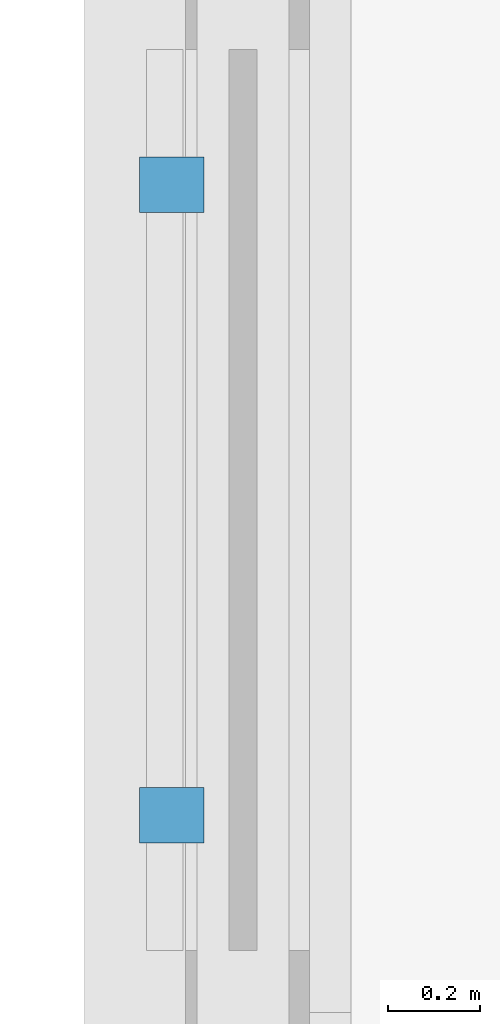
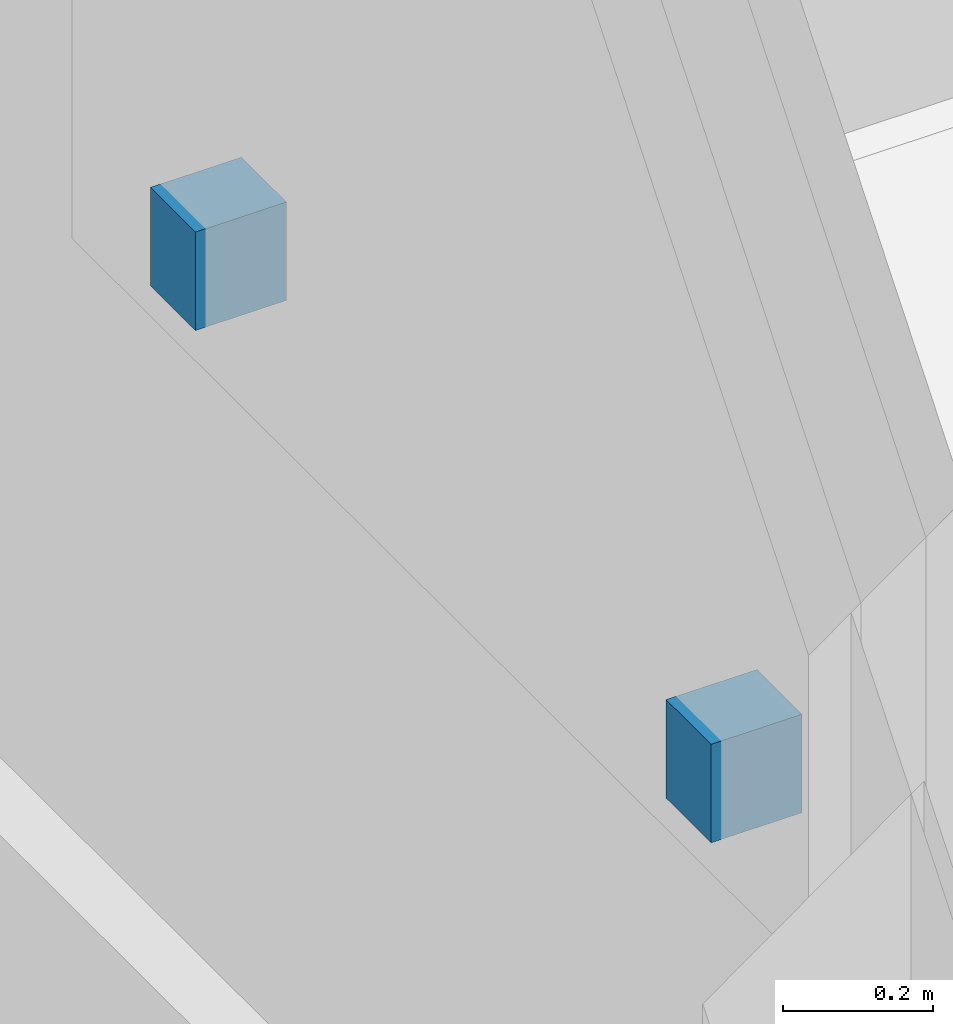
# One storey, part 28 of 32: 2 discrete accessories.
"""IFC4 building model written with IfcOpenShell, lengths in metres."""

from ifc_helpers import new_model, si_unit, direction, frame, origin, origin_2d, place, context, subcontext, project, spatial, rectangle, extrude, material, type_object, element, save


model = new_model("IFC4")

# Units and contexts
model_context = context("Model", 3, precision=1e-05, world=origin(), true_north=direction((0.0, 1.0)))
body_context = subcontext(model_context, "Body", "Model", "MODEL_VIEW")
ifc_project = project(units=[si_unit("LENGTHUNIT", "METRE"), si_unit("AREAUNIT", "SQUARE_METRE"), si_unit("VOLUMEUNIT", "CUBIC_METRE"), si_unit("PLANEANGLEUNIT", "RADIAN"), si_unit("MASSUNIT", "GRAM", prefix="KILO")], contexts=[model_context])

# Site, building, storey
site_placement = place(None, origin())
site = spatial("IfcSite", under=ifc_project, at=site_placement, CompositionType="ELEMENT")
building_placement = place(site_placement, origin())
building = spatial("IfcBuilding", under=site, at=building_placement, Name="Hawrajan Terrace Health Centre", CompositionType="ELEMENT")
storey_placement = place(building_placement, frame((0.0, 0.0, 17.39990234375)))
storey = spatial("IfcBuildingStorey", under=building, at=storey_placement, Name="L04", CompositionType="ELEMENT", Elevation=17.39990234375)

# Discrete accessories
ifc_material = material(Name="Steel S355", Category="steel")
discrete_accessory_type = type_object("IfcDiscreteAccessoryType", Name="FacadeBracket_S355", PredefinedType="BRACKET", material=ifc_material)
for number, where, z_axis, x_axis, name in (
    (1, (4.445068359375, 56.993896484375, 1.1201171875), (0.0, 0.0, 1.0), (0.0, 1.0, 0.0), "Roshan support bracket BRK-L04-248-1"),
    (2, (4.445068359375, 58.365966796875, 1.1201171875), (0.0, 0.0, 1.0), (0.0, 1.0, 0.0), "Roshan support bracket BRK-L04-248-2"),
):
    element("IfcDiscreteAccessory", number, at=place(storey_placement, frame(where, z_axis=z_axis, x_axis=x_axis)), inside=storey, type_object=discrete_accessory_type, Name=name, PredefinedType="BRACKET", context=body_context, shape_type="SweptSolid", body=[
        extrude(rectangle(XDim=0.1201171875, YDim=0.139892578125, at=origin_2d()), origin(), (0.0, 0.0, 1.0), 0.159912109375),
    ])

save(model, "model.ifc")
